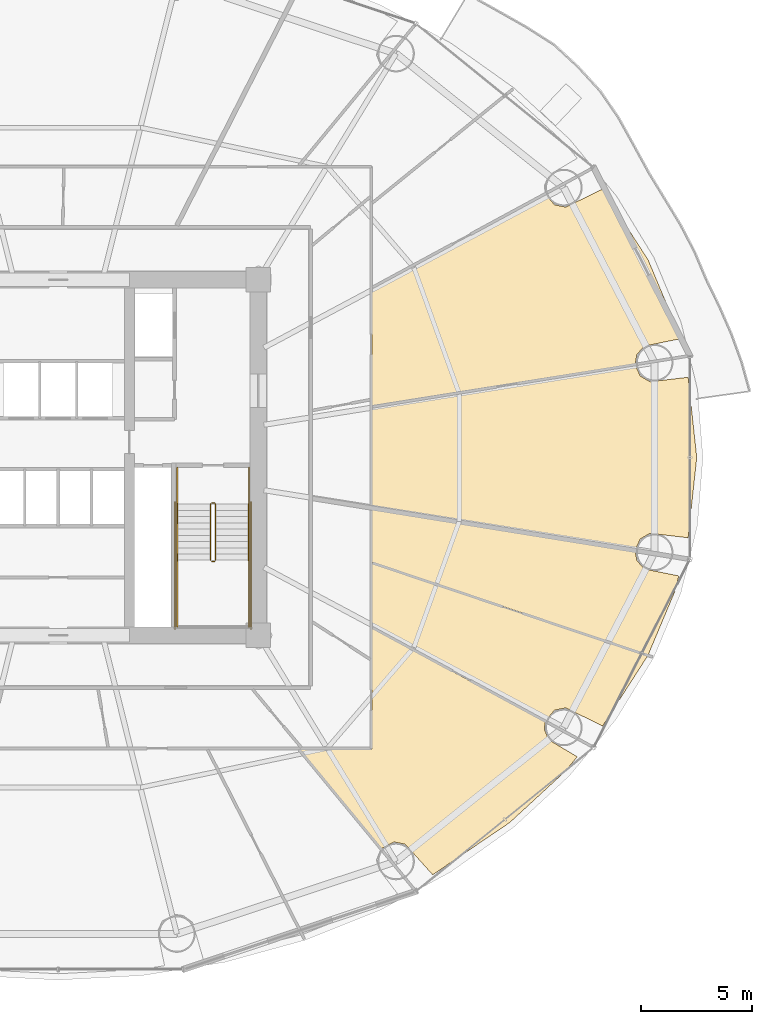
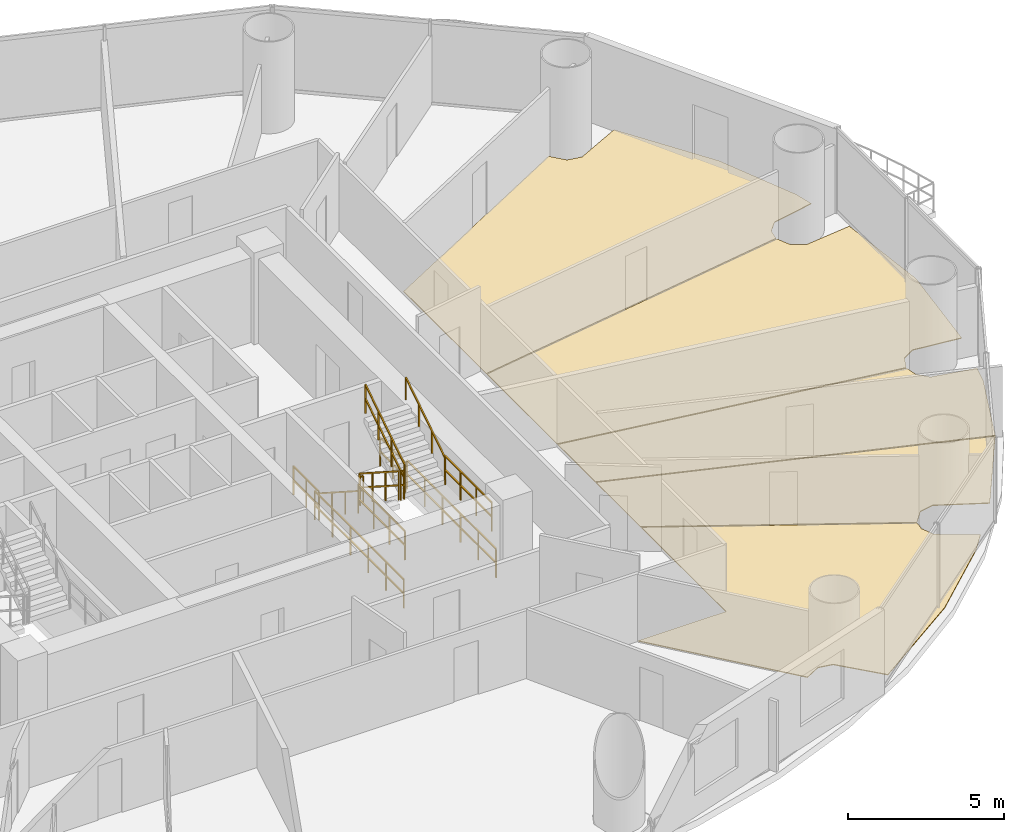
# One storey, part 29 of 30: 12 railings, 5 coverings.
"""IFC4 building model written with IfcOpenShell, lengths in metres."""

import ifcopenshell
import ifcopenshell.guid

model = None  # the IFC model being written
_history = None  # IfcOwnerHistory: only IFC2X3 demands one
_inside = {}  # id of a spatial element -> (the spatial element, [elements in it])
_under = {}  # id of a project, library or spatial element -> (it, [spatial elements below it])
_declared = {}  # id of a project -> (the project, [libraries it declares])
_typed = {}  # id of a type object -> (the type object, [elements of that type])
_made_of = {}  # id of a material, layer set ... -> (it, [elements and type objects made of it])


def new_model(schema):
    """Start an empty IFC model of exactly this schema.

    Asked for "IFC4X3", IfcOpenShell would pick the latest addendum, in which some entities
    have other attributes; the version numbers below select the first issue.
    IFC2X3 requires an IfcOwnerHistory on every rooted entity: one is made here for all.
    """
    global model, _history
    if schema == "IFC4X3":
        model = ifcopenshell.file(schema_version=(4, 3, 0, 0))
    else:
        model = ifcopenshell.file(schema=schema)
    _inside.clear()
    _under.clear()
    _declared.clear()
    _typed.clear()
    _made_of.clear()
    _history = None
    if model.schema == "IFC2X3":
        org = make("IfcOrganization", Name="unknown")
        user = make(
            "IfcPersonAndOrganization",
            ThePerson=make("IfcPerson", FamilyName="unknown"),
            TheOrganization=org,
        )
        app = make(
            "IfcApplication",
            ApplicationDeveloper=org,
            Version="unknown",
            ApplicationFullName="unknown",
            ApplicationIdentifier="unknown",
        )
        _history = make(
            "IfcOwnerHistory",
            OwningUser=user,
            OwningApplication=app,
            ChangeAction="ADDED",
            CreationDate=0,
        )
    return model


def make(cls, **values):
    """One entity of the class cls with the attributes given. An attribute that is None is left unset."""
    return model.create_entity(
        cls, **{name: value for name, value in values.items() if value is not None}
    )


def rooted(cls, **values):
    """An entity with a GlobalId (a new one), such as an element, a storey or a relation."""
    return make(cls, GlobalId=ifcopenshell.guid.new(), OwnerHistory=_history, **values)


def si_unit(unit_type, name, prefix=None):
    """IfcSIUnit, for example si_unit("LENGTHUNIT", "METRE", prefix="MILLI")."""
    return make("IfcSIUnit", UnitType=unit_type, Prefix=prefix, Name=name)


def assignment(units):
    """IfcUnitAssignment: the units of a project."""
    return None if units is None else make("IfcUnitAssignment", Units=units)


def point(xyz):
    """IfcCartesianPoint."""
    return None if xyz is None else make("IfcCartesianPoint", Coordinates=xyz)


def direction(xyz):
    """IfcDirection."""
    return None if xyz is None else make("IfcDirection", DirectionRatios=xyz)


def frame(location, z_axis=None, x_axis=None):
    """IfcAxis2Placement3D, a coordinate frame: its origin and axes. An axis left out is left unset."""
    return make(
        "IfcAxis2Placement3D",
        Location=point(location),
        Axis=direction(z_axis),
        RefDirection=direction(x_axis),
    )


def frame_2d(location, x_axis=None):
    """IfcAxis2Placement2D, a coordinate frame in the plane: its origin and x axis."""
    return make(
        "IfcAxis2Placement2D", Location=point(location), RefDirection=direction(x_axis)
    )


def origin():
    """The frame at (0, 0, 0) with its axes left unset."""
    return frame((0.0, 0.0, 0.0))


def origin_2d():
    """The frame at (0, 0) in the plane with its x axis left unset."""
    return frame_2d((0.0, 0.0))


def place(relative_to, where):
    """IfcLocalPlacement: puts the frame where relative to a parent placement (None: the world)."""
    return make(
        "IfcLocalPlacement", PlacementRelTo=relative_to, RelativePlacement=where
    )


def context(
    kind, dimensions, precision=None, world=None, true_north=None, identifier=None
):
    """IfcGeometricRepresentationContext, for example the 3D "Model" context."""
    return make(
        "IfcGeometricRepresentationContext",
        ContextIdentifier=identifier,
        ContextType=kind,
        CoordinateSpaceDimension=dimensions,
        Precision=precision,
        WorldCoordinateSystem=world,
        TrueNorth=true_north,
    )


def subcontext(parent, identifier, kind, view, scale=None):
    """IfcGeometricRepresentationSubContext, for example "Body" below "Model"."""
    return make(
        "IfcGeometricRepresentationSubContext",
        ContextIdentifier=identifier,
        ContextType=kind,
        ParentContext=parent,
        TargetScale=scale,
        TargetView=view,
    )


def project(units=None, contexts=None):
    """IfcProject with its units and contexts."""
    return rooted(
        "IfcProject",
        Name="project",
        RepresentationContexts=contexts,
        UnitsInContext=assignment(units),
    )


def spatial(cls, under=None, at=None, **own):
    """A site, building, storey or space (cls), placed at a placement, below another one or the project."""
    s = rooted(cls, ObjectPlacement=at, **own)
    if under is not None:
        _under.setdefault(under.id(), (under, []))[1].append(s)
    return s


def polyline(points):
    """IfcPolyline through the points."""
    return make("IfcPolyline", Points=[point(p) for p in points])


def profile(cls, at=None, kind="AREA", **sizes):
    """A parametric profile (cls). Its sizes go by their IFC names, for example OverallWidth=200.0."""
    return make(cls, ProfileType=kind, Position=at, **sizes)


def rectangle(**sizes):
    """IfcRectangleProfileDef."""
    return profile("IfcRectangleProfileDef", **sizes)


def outline(outer, holes=None, kind="AREA"):
    """IfcArbitraryClosedProfileDef: a profile drawn as a closed curve; with holes, ...WithVoids."""
    if holes is None:
        return make("IfcArbitraryClosedProfileDef", ProfileType=kind, OuterCurve=outer)
    return make(
        "IfcArbitraryProfileDefWithVoids",
        ProfileType=kind,
        OuterCurve=outer,
        InnerCurves=holes,
    )


def extrude(swept, where, along, depth):
    """IfcExtrudedAreaSolid: the profile swept, set in the frame where, extruded along a direction by depth."""
    return make(
        "IfcExtrudedAreaSolid",
        SweptArea=swept,
        Position=where,
        ExtrudedDirection=direction(along),
        Depth=depth,
    )


def shape(context_of_items, identifier, shape_type, items):
    """IfcShapeRepresentation: the items that make up one representation, for example the "Body"."""
    return make(
        "IfcShapeRepresentation",
        ContextOfItems=context_of_items,
        RepresentationIdentifier=identifier,
        RepresentationType=shape_type,
        Items=items,
    )


def material(Name=None, Category=None):
    """IfcMaterial."""
    return make("IfcMaterial", Name=Name, Category=Category)


def layer(
    of_material, thickness, ventilated=None, Name=None, Category=None, Priority=None
):
    """IfcMaterialLayer: one layer of a wall or slab, of a material (None: an air gap)."""
    return make(
        "IfcMaterialLayer",
        Material=of_material,
        LayerThickness=thickness,
        IsVentilated=ventilated,
        Name=Name,
        Category=Category,
        Priority=Priority,
    )


def layer_set(layers, Name=None):
    """IfcMaterialLayerSet."""
    return make("IfcMaterialLayerSet", MaterialLayers=layers, LayerSetName=Name)


def made_of(thing, what):
    """Note that an element or type object is made of a material, layer set ...; save() writes the relation."""
    if what is not None:
        _made_of.setdefault(what.id(), (what, []))[1].append(thing)
    return thing


def type_object(cls, material=None, **own):
    """A type object (cls), such as IfcWallType, which elements share."""
    return made_of(rooted(cls, **own), material)


def element(
    cls,
    number,
    at=None,
    inside=None,
    cuts=None,
    type_object=None,
    material=None,
    context=None,
    identifier="Body",
    shape_type=None,
    held_by="IfcProductDefinitionShape",
    body=None,
    shapes=None,
    **own,
):
    """One element of the class cls, such as IfcWall. Its Tag is "e" and its number.

    at: its placement. inside: the storey or other place that contains it. cuts: it is an
    opening in that element (IfcRelVoidsElement). A single representation is given by context,
    identifier, shape_type and body (its items); several are given by shapes. held_by: the class
    of the entity that holds the representations. save() writes the other relations.
    """
    e = rooted(cls, Tag="e%d" % number, ObjectPlacement=at, **own)
    if body is not None:
        shapes = [shape(context, identifier, shape_type, body)]
    if shapes is not None:
        e.Representation = make(held_by, Representations=shapes)
    if inside is not None:
        _inside.setdefault(inside.id(), (inside, []))[1].append(e)
    if cuts is not None:
        rooted(
            "IfcRelVoidsElement", RelatingBuildingElement=cuts, RelatedOpeningElement=e
        )
    if type_object is not None:
        _typed.setdefault(type_object.id(), (type_object, []))[1].append(e)
    return made_of(e, material)


def aggregate(whole, parts):
    """IfcRelAggregates: a whole, such as a stair, and the parts it consists of."""
    return rooted("IfcRelAggregates", RelatingObject=whole, RelatedObjects=parts)


def save(model, path):
    """Write the relations noted so far, then the file.

    IfcRelAggregates (storeys below a building ...), IfcRelContainedInSpatialStructure (elements
    in a storey), IfcRelDefinesByType, IfcRelAssociatesMaterial and IfcRelDeclares: one each for
    every whole, place, type object, material and project.
    """
    for whole, parts in _under.values():
        aggregate(whole, parts)
    for where, things in _inside.values():
        rooted(
            "IfcRelContainedInSpatialStructure",
            RelatedElements=things,
            RelatingStructure=where,
        )
    for kind, things in _typed.values():
        rooted("IfcRelDefinesByType", RelatedObjects=things, RelatingType=kind)
    for what, things in _made_of.values():
        rooted("IfcRelAssociatesMaterial", RelatedObjects=things, RelatingMaterial=what)
    for by, libraries in _declared.values():
        rooted("IfcRelDeclares", RelatingContext=by, RelatedDefinitions=libraries)
    model.write(path)


model = new_model("IFC4")

# Units and contexts
model_context = context("Model", 3, precision=1e-05, world=origin(), true_north=direction((-0.2419218956, 0.970295726276)))
body_context = subcontext(model_context, "Body", "Model", "MODEL_VIEW")
ifc_project = project(units=[si_unit("LENGTHUNIT", "METRE"), si_unit("AREAUNIT", "SQUARE_METRE"), si_unit("VOLUMEUNIT", "CUBIC_METRE"), si_unit("PLANEANGLEUNIT", "RADIAN"), si_unit("MASSUNIT", "GRAM", prefix="KILO")], contexts=[model_context])

# Site, building, storey
site_placement = place(None, origin())
site = spatial("IfcSite", under=ifc_project, at=site_placement, CompositionType="ELEMENT")
building_placement = place(site_placement, origin())
building = spatial("IfcBuilding", under=site, at=building_placement, Name="Cobrevalo Terracotta Tower", CompositionType="ELEMENT")
storey_placement = place(building_placement, frame((0.0, 0.0, 31.199951171875)))
storey = spatial("IfcBuildingStorey", under=building, at=storey_placement, Name="L07", CompositionType="ELEMENT", Elevation=31.199951171875)

# Coverings
ifc_material_1 = material(Name="Engineered Brazilian hardwood flooring", Category="wood")
ifc_layer = layer(ifc_material_1, 0.028076171875)
ifc_layer_set = layer_set([ifc_layer], Name="Engineered Brazilian hardwood flooring")
covering_type = type_object("IfcCoveringType", Name="Engineered Hardwood Suite Flooring 28", PredefinedType="FLOORING", material=ifc_layer_set)
covering_1_placement = place(storey_placement, origin())
element("IfcCovering", 1, at=covering_1_placement, inside=storey, type_object=covering_type, Name="Flat L07A Penthouse Living and Dining Room floor finish", PredefinedType="FLOORING", context=body_context, shape_type="SweptSolid", body=[
    extrude(outline(polyline([(63.952880859375, 30.963134765625), (64.178466796875, 30.465087890625), (64.619384765625, 30.206787109375), (66.331298828125, 30.4111328125), (66.719970703125, 26.800048828125), (66.331298828125, 23.18896484375), (64.619384765625, 23.39306640625), (64.178466796875, 23.135009765625), (63.952880859375, 22.636962890625), (52.10498046875, 24.546630859375), (52.10498046875, 29.05322265625), (63.952880859375, 30.963134765625)])), origin(), (0.0, 0.0, 1.0), 0.030029296875),
])
covering_2_placement = place(storey_placement, origin())
element("IfcCovering", 2, at=covering_2_placement, inside=storey, type_object=covering_type, Name="Flat L07A Penthouse Family Lounge floor finish", PredefinedType="FLOORING", context=body_context, shape_type="SweptSolid", body=[
    extrude(outline(polyline([(59.915283203125, 38.643310546875), (60.325439453125, 38.163330078125), (60.826416015625, 38.063232421875), (62.488037109375, 38.87451171875), (64.534423828125, 35.684326171875), (65.74169921875, 32.80859375), (65.909423828125, 32.126220703125), (64.3642578125, 31.81298828125), (64.025146484375, 31.4306640625), (63.95068359375, 31.003173828125), (52.10498046875, 29.09375), (52.10498046875, 34.41455078125), (59.915283203125, 38.643310546875)])), origin(), (0.0, 0.0, 1.0), 0.030029296875),
])
covering_3_placement = place(storey_placement, origin())
element("IfcCovering", 3, at=covering_3_placement, inside=storey, type_object=covering_type, Name="Flat L07D Penthouse Family Lounge floor finish", PredefinedType="FLOORING", context=body_context, shape_type="SweptSolid", body=[
    extrude(outline(polyline([(58.3095703125, 10.38232421875), (54.843505859375, 8.03271484375), (53.6025390625, 9.412353515625), (53.100341796875, 9.50732421875), (52.531982421875, 9.20751953125), (48.831787109375, 13.695068359375), (52.10498046875, 13.695068359375), (52.10498046875, 19.14013671875), (59.90234375, 14.91796875), (59.864990234375, 14.573974609375), (60.060791015625, 14.10205078125), (61.34423828125, 13.341064453125), (60.786376953125, 12.666259765625), (58.3095703125, 10.38232421875)])), origin(), (0.0, 0.0, 1.0), 0.030029296875),
])
covering_4_placement = place(storey_placement, origin())
element("IfcCovering", 4, at=covering_4_placement, inside=storey, type_object=covering_type, Name="Flat L07D Principal Guest Bedroom floor finish", PredefinedType="FLOORING", context=body_context, shape_type="SweptSolid", body=[
    extrude(outline(polyline([(62.488037109375, 14.7255859375), (60.826416015625, 15.53662109375), (60.325439453125, 15.436767578125), (59.915283203125, 14.95654296875), (52.10498046875, 19.185546875), (52.10498046875, 22.04443359375), (64.5126953125, 17.8798828125), (62.488037109375, 14.7255859375)])), origin(), (0.0, 0.0, 1.0), 0.030029296875),
])
covering_5_placement = place(storey_placement, origin())
element("IfcCovering", 5, at=covering_5_placement, inside=storey, type_object=covering_type, Name="Flat L07D Penthouse Family Lounge floor finish", PredefinedType="FLOORING", context=body_context, shape_type="SweptSolid", body=[
    extrude(outline(polyline([(52.10498046875, 22.086669921875), (52.10498046875, 24.506103515625), (63.95068359375, 22.596923828125), (64.025146484375, 22.169189453125), (64.3642578125, 21.787109375), (65.909423828125, 21.473876953125), (65.74169921875, 20.791259765625), (64.531494140625, 17.91552734375), (52.10498046875, 22.086669921875)])), origin(), (0.0, 0.0, 1.0), 0.030029296875),
])

# Railings
ifc_material_2 = material(Name="Brushed stainless steel", Category="steel")
railing_type_1 = type_object("IfcRailingType", Name="Stainless Steel Stair Handrail 900", PredefinedType="HANDRAIL", material=ifc_material_2)
railing_1_placement = place(storey_placement, frame((43.35498046875, 24.699951171875, 0.179931640625)))
element("IfcRailing", 6, at=railing_1_placement, inside=storey, type_object=railing_type_1, Name="L07 ST-2 stair handrail 1", PredefinedType="HANDRAIL", context=body_context, shape_type="SweptSolid", body=[
    extrude(rectangle(XDim=0.048095703125, YDim=0.048095703125, at=origin_2d()), frame((0.0, 0.0, 0.8759765625), z_axis=(0.0, -0.841162588446, 0.540782303519), x_axis=(1.0, 0.0, 0.0)), (0.0, 0.0, 1.0), 2.995849609375),
    extrude(rectangle(XDim=0.0419921875, YDim=0.0419921875, at=origin_2d()), origin(), (0.0, 0.0, 1.0), 0.851806640625),
    extrude(rectangle(XDim=0.0419921875, YDim=0.0419921875, at=origin_2d()), frame((0.0, -0.840087890625, 0.5400390625)), (0.0, 0.0, 1.0), 0.851806640625),
    extrude(rectangle(XDim=0.0419921875, YDim=0.0419921875, at=origin_2d()), frame((0.0, -1.679931640625, 1.080078125)), (0.0, 0.0, 1.0), 0.851806640625),
    extrude(rectangle(XDim=0.0419921875, YDim=0.0419921875, at=origin_2d()), frame((0.0, -2.52001953125, 1.6201171875)), (0.0, 0.0, 1.0), 0.851806640625),
])
railing_2_placement = place(storey_placement, frame((46.574951171875, 22.179931640625, 1.97998046875)))
element("IfcRailing", 7, at=railing_2_placement, inside=storey, type_object=railing_type_1, Name="L07 ST-2 stair handrail 2", PredefinedType="HANDRAIL", context=body_context, shape_type="SweptSolid", body=[
    extrude(rectangle(XDim=0.048095703125, YDim=0.048095703125, at=origin_2d()), frame((0.0, 0.0, 0.8759765625), z_axis=(0.0, 0.841162588446, 0.540782303519), x_axis=(-1.0, 0.0, 0.0)), (0.0, 0.0, 1.0), 2.995849609375),
    extrude(rectangle(XDim=0.0419921875, YDim=0.0419921875, at=origin_2d()), origin(), (0.0, 0.0, 1.0), 0.851806640625),
    extrude(rectangle(XDim=0.0419921875, YDim=0.0419921875, at=origin_2d()), frame((0.0, 0.840087890625, 0.5400390625)), (0.0, 0.0, 1.0), 0.851806640625),
    extrude(rectangle(XDim=0.0419921875, YDim=0.0419921875, at=origin_2d()), frame((0.0, 1.679931640625, 1.080078125)), (0.0, 0.0, 1.0), 0.851806640625),
    extrude(rectangle(XDim=0.0419921875, YDim=0.0419921875, at=origin_2d()), frame((0.0, 2.52001953125, 1.6201171875)), (0.0, 0.0, 1.0), 0.851806640625),
])
ifc_material_3 = material(Name="Painted galvanized steel", Category="steel")
railing_type_2 = type_object("IfcRailingType", Name="Stair Well Guard Balustrade 1150", PredefinedType="GUARDRAIL", material=ifc_material_3)
railing_3_placement = place(storey_placement, frame((44.85498046875, 24.699951171875, 0.179931640625)))
element("IfcRailing", 8, at=railing_3_placement, inside=storey, type_object=railing_type_2, Name="L07 ST-2 stair guard 1", PredefinedType="GUARDRAIL", context=body_context, shape_type="SweptSolid", body=[
    extrude(rectangle(XDim=0.048095703125, YDim=0.048095703125, at=origin_2d()), frame((0.0, 0.0, 1.1259765625), z_axis=(0.0, -0.841162588446, 0.540782303519), x_axis=(1.0, 0.0, 0.0)), (0.0, 0.0, 1.0), 2.995849609375),
    extrude(rectangle(XDim=0.048095703125, YDim=0.048095703125, at=origin_2d()), frame((0.0, 0.0, 0.574951171875), z_axis=(0.0, -0.841162588446, 0.540782303519), x_axis=(1.0, 0.0, 0.0)), (0.0, 0.0, 1.0), 2.995849609375),
    extrude(rectangle(XDim=0.0419921875, YDim=0.0419921875, at=origin_2d()), origin(), (0.0, 0.0, 1.0), 1.101806640625),
    extrude(rectangle(XDim=0.0419921875, YDim=0.0419921875, at=origin_2d()), frame((0.0, -0.840087890625, 0.5400390625)), (0.0, 0.0, 1.0), 1.101806640625),
    extrude(rectangle(XDim=0.0419921875, YDim=0.0419921875, at=origin_2d()), frame((0.0, -1.679931640625, 1.080078125)), (0.0, 0.0, 1.0), 1.101806640625),
    extrude(rectangle(XDim=0.0419921875, YDim=0.0419921875, at=origin_2d()), frame((0.0, -2.52001953125, 1.6201171875)), (0.0, 0.0, 1.0), 1.101806640625),
])
railing_4_placement = place(storey_placement, frame((44.905029296875, 22.1298828125, 1.800048828125)))
element("IfcRailing", 9, at=railing_4_placement, inside=storey, type_object=railing_type_2, Name="L07 ST-2 stair guard 2", PredefinedType="GUARDRAIL", context=body_context, shape_type="SweptSolid", body=[
    extrude(rectangle(XDim=0.048095703125, YDim=0.048095703125, at=origin_2d()), frame((0.0, 0.0, 1.1259765625), z_axis=(1.0, 0.0, 0.0), x_axis=(0.0, 1.0, 0.0)), (0.0, 0.0, 1.0), 0.119873046875),
    extrude(rectangle(XDim=0.048095703125, YDim=0.048095703125, at=origin_2d()), frame((0.0, 0.0, 0.574951171875), z_axis=(1.0, 0.0, 0.0), x_axis=(0.0, 1.0, 0.0)), (0.0, 0.0, 1.0), 0.119873046875),
    extrude(rectangle(XDim=0.0419921875, YDim=0.0419921875, at=origin_2d()), origin(), (0.0, 0.0, 1.0), 1.101806640625),
    extrude(rectangle(XDim=0.0419921875, YDim=0.0419921875, at=origin_2d()), frame((0.119873046875, 0.0, 0.0)), (0.0, 0.0, 1.0), 1.101806640625),
])
for number, where, name in (
    (10, (43.35498046875, 22.179931640625, 1.800048828125), "L07 ST-2 stair guard 3"),
    (11, (46.574951171875, 22.179931640625, 1.800048828125), "L07 ST-2 stair guard 4"),
):
    element("IfcRailing", number, at=place(storey_placement, frame(where)), inside=storey, type_object=railing_type_2, Name=name, PredefinedType="GUARDRAIL", context=body_context, shape_type="SweptSolid", body=[
        extrude(rectangle(XDim=0.048095703125, YDim=0.048095703125, at=origin_2d()), frame((0.0, 0.0, 1.1259765625), z_axis=(0.0, -1.0, 0.0), x_axis=(1.0, 0.0, 0.0)), (0.0, 0.0, 1.0), 3.0048828125),
        extrude(rectangle(XDim=0.048095703125, YDim=0.048095703125, at=origin_2d()), frame((0.0, 0.0, 0.574951171875), z_axis=(0.0, -1.0, 0.0), x_axis=(1.0, 0.0, 0.0)), (0.0, 0.0, 1.0), 3.0048828125),
        extrude(rectangle(XDim=0.0419921875, YDim=0.0419921875, at=origin_2d()), origin(), (0.0, 0.0, 1.0), 1.101806640625),
        extrude(rectangle(XDim=0.0419921875, YDim=0.0419921875, at=origin_2d()), frame((0.0, -1.001708984375, 0.0)), (0.0, 0.0, 1.0), 1.101806640625),
        extrude(rectangle(XDim=0.0419921875, YDim=0.0419921875, at=origin_2d()), frame((0.0, -2.003173828125, 0.0)), (0.0, 0.0, 1.0), 1.101806640625),
        extrude(rectangle(XDim=0.0419921875, YDim=0.0419921875, at=origin_2d()), frame((0.0, -3.0048828125, 0.0)), (0.0, 0.0, 1.0), 1.101806640625),
    ])
railing_5_placement = place(storey_placement, frame((45.074951171875, 22.179931640625, 1.97998046875)))
element("IfcRailing", 12, at=railing_5_placement, inside=storey, type_object=railing_type_2, Name="L07 ST-2 stair guard 6", PredefinedType="GUARDRAIL", context=body_context, shape_type="SweptSolid", body=[
    extrude(rectangle(XDim=0.048095703125, YDim=0.048095703125, at=origin_2d()), frame((0.0, 0.0, 1.1259765625), z_axis=(0.0, 0.841162588446, 0.540782303519), x_axis=(-1.0, 0.0, 0.0)), (0.0, 0.0, 1.0), 2.995849609375),
    extrude(rectangle(XDim=0.048095703125, YDim=0.048095703125, at=origin_2d()), frame((0.0, 0.0, 0.574951171875), z_axis=(0.0, 0.841162588446, 0.540782303519), x_axis=(-1.0, 0.0, 0.0)), (0.0, 0.0, 1.0), 2.995849609375),
    extrude(rectangle(XDim=0.0419921875, YDim=0.0419921875, at=origin_2d()), origin(), (0.0, 0.0, 1.0), 1.101806640625),
    extrude(rectangle(XDim=0.0419921875, YDim=0.0419921875, at=origin_2d()), frame((0.0, 0.840087890625, 0.5400390625)), (0.0, 0.0, 1.0), 1.101806640625),
    extrude(rectangle(XDim=0.0419921875, YDim=0.0419921875, at=origin_2d()), frame((0.0, 1.679931640625, 1.080078125)), (0.0, 0.0, 1.0), 1.101806640625),
    extrude(rectangle(XDim=0.0419921875, YDim=0.0419921875, at=origin_2d()), frame((0.0, 2.52001953125, 1.6201171875)), (0.0, 0.0, 1.0), 1.101806640625),
])
railing_6_placement = place(storey_placement, frame((44.905029296875, 24.75, 0.0)))
element("IfcRailing", 13, at=railing_6_placement, inside=storey, type_object=railing_type_2, Name="L07 ST-2 stair guard 7", PredefinedType="GUARDRAIL", context=body_context, shape_type="SweptSolid", body=[
    extrude(rectangle(XDim=0.048095703125, YDim=0.048095703125, at=origin_2d()), frame((0.0, 0.0, 1.1259765625), z_axis=(1.0, 0.0, 0.0), x_axis=(0.0, 1.0, 0.0)), (0.0, 0.0, 1.0), 0.119873046875),
    extrude(rectangle(XDim=0.048095703125, YDim=0.048095703125, at=origin_2d()), frame((0.0, 0.0, 0.574951171875), z_axis=(1.0, 0.0, 0.0), x_axis=(0.0, 1.0, 0.0)), (0.0, 0.0, 1.0), 0.119873046875),
    extrude(rectangle(XDim=0.0419921875, YDim=0.0419921875, at=origin_2d()), origin(), (0.0, 0.0, 1.0), 1.101806640625),
    extrude(rectangle(XDim=0.0419921875, YDim=0.0419921875, at=origin_2d()), frame((0.119873046875, 0.0, 0.0)), (0.0, 0.0, 1.0), 1.101806640625),
])
for number, where, name in (
    (14, (43.35498046875, 26.35009765625, 0.0), "L07 ST-2 stair guard 8"),
    (15, (46.574951171875, 26.35009765625, 0.0), "L07 ST-2 stair guard 9"),
):
    element("IfcRailing", number, at=place(storey_placement, frame(where)), inside=storey, type_object=railing_type_2, Name=name, PredefinedType="GUARDRAIL", context=body_context, shape_type="SweptSolid", body=[
        extrude(rectangle(XDim=0.048095703125, YDim=0.048095703125, at=origin_2d()), frame((0.0, 0.0, 1.1259765625), z_axis=(0.0, -1.0, 0.0), x_axis=(1.0, 0.0, 0.0)), (0.0, 0.0, 1.0), 1.650146484375),
        extrude(rectangle(XDim=0.048095703125, YDim=0.048095703125, at=origin_2d()), frame((0.0, 0.0, 0.574951171875), z_axis=(0.0, -1.0, 0.0), x_axis=(1.0, 0.0, 0.0)), (0.0, 0.0, 1.0), 1.650146484375),
        extrude(rectangle(XDim=0.0419921875, YDim=0.0419921875, at=origin_2d()), origin(), (0.0, 0.0, 1.0), 1.101806640625),
        extrude(rectangle(XDim=0.0419921875, YDim=0.0419921875, at=origin_2d()), frame((0.0, -0.8251953125, 0.0)), (0.0, 0.0, 1.0), 1.101806640625),
        extrude(rectangle(XDim=0.0419921875, YDim=0.0419921875, at=origin_2d()), frame((0.0, -1.650146484375, 0.0)), (0.0, 0.0, 1.0), 1.101806640625),
    ])
for number, where, name in (
    (16, (43.2548828125, 24.800048828125, 0.0), "L07 ST-2 stair guard 10"),
    (17, (46.675048828125, 24.800048828125, 0.0), "L07 ST-2 stair guard 11"),
):
    element("IfcRailing", number, at=place(storey_placement, frame(where)), inside=storey, type_object=railing_type_2, Name=name, PredefinedType="GUARDRAIL", context=body_context, shape_type="SweptSolid", body=[
        extrude(rectangle(XDim=0.048095703125, YDim=0.048095703125, at=origin_2d()), frame((0.0, 0.0, 1.1259765625), z_axis=(0.0, -1.0, 0.0), x_axis=(1.0, 0.0, 0.0)), (0.0, 0.0, 1.0), 5.72509765625),
        extrude(rectangle(XDim=0.048095703125, YDim=0.048095703125, at=origin_2d()), frame((0.0, 0.0, 0.574951171875), z_axis=(0.0, -1.0, 0.0), x_axis=(1.0, 0.0, 0.0)), (0.0, 0.0, 1.0), 5.72509765625),
        extrude(rectangle(XDim=0.0419921875, YDim=0.0419921875, at=origin_2d()), origin(), (0.0, 0.0, 1.0), 1.101806640625),
        extrude(rectangle(XDim=0.0419921875, YDim=0.0419921875, at=origin_2d()), frame((0.0, -1.14501953125, 0.0)), (0.0, 0.0, 1.0), 1.101806640625),
        extrude(rectangle(XDim=0.0419921875, YDim=0.0419921875, at=origin_2d()), frame((0.0, -2.2900390625, 0.0)), (0.0, 0.0, 1.0), 1.101806640625),
        extrude(rectangle(XDim=0.0419921875, YDim=0.0419921875, at=origin_2d()), frame((0.0, -3.43505859375, 0.0)), (0.0, 0.0, 1.0), 1.101806640625),
        extrude(rectangle(XDim=0.0419921875, YDim=0.0419921875, at=origin_2d()), frame((0.0, -4.580078125, 0.0)), (0.0, 0.0, 1.0), 1.101806640625),
        extrude(rectangle(XDim=0.0419921875, YDim=0.0419921875, at=origin_2d()), frame((0.0, -5.72509765625, 0.0)), (0.0, 0.0, 1.0), 1.101806640625),
    ])

save(model, "model.ifc")
